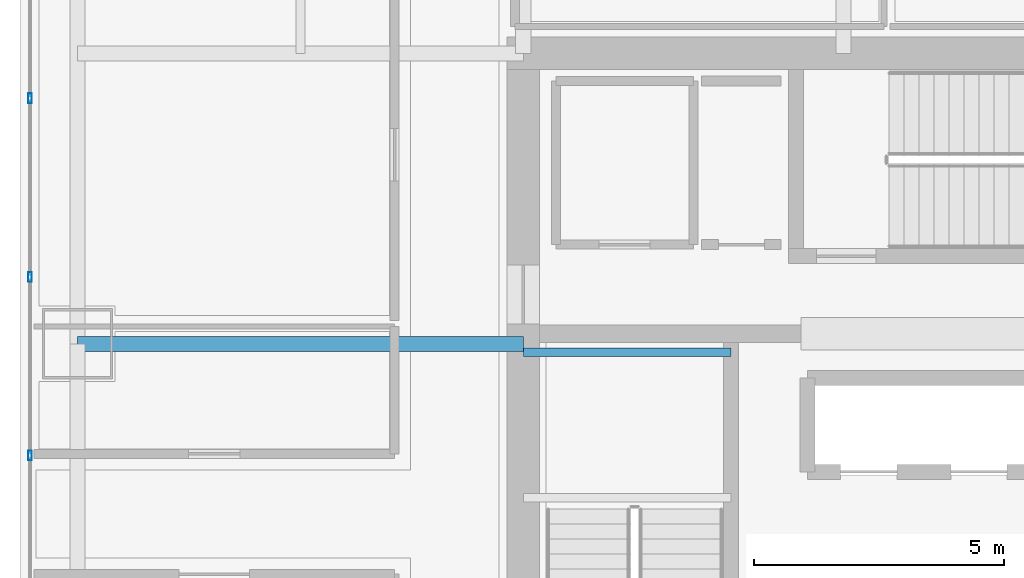
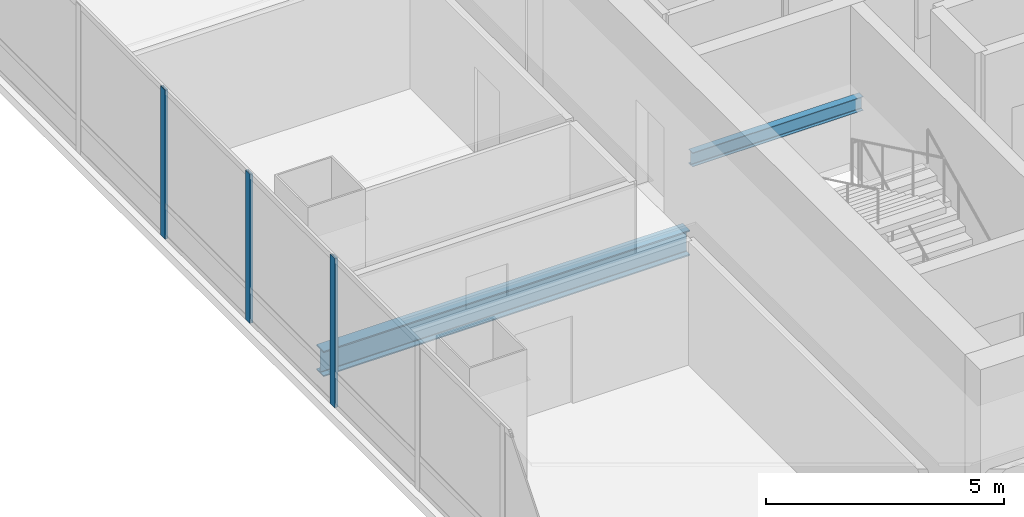
# One storey, part 11 of 36: 3 members, 2 beams, 1 element without a shape of its own.
"""IFC4 building model written with IfcOpenShell, lengths in metres."""

from ifc_helpers import new_model, si_unit, direction, frame, origin, origin_2d, place, context, subcontext, project, spatial, hollow_rectangle, i_section, extrude, material, material_profile, profile_set, type_object, element, aggregate, save


model = new_model("IFC4")

# Units and contexts
model_context = context("Model", 3, precision=1e-05, world=origin(), true_north=direction((0.0, 1.0)))
body_context = subcontext(model_context, "Body", "Model", "MODEL_VIEW")
ifc_project = project(units=[si_unit("LENGTHUNIT", "METRE"), si_unit("AREAUNIT", "SQUARE_METRE"), si_unit("VOLUMEUNIT", "CUBIC_METRE"), si_unit("PLANEANGLEUNIT", "RADIAN"), si_unit("MASSUNIT", "GRAM", prefix="KILO")], contexts=[model_context])

# Site, building, storey
site_placement = place(None, origin())
site = spatial("IfcSite", under=ifc_project, at=site_placement, CompositionType="ELEMENT")
building_placement = place(site_placement, origin())
building = spatial("IfcBuilding", under=site, at=building_placement, Name="Punatoya Terracotta Tower", CompositionType="ELEMENT")
storey_placement = place(building_placement, frame((0.0, 0.0, 212.699951171875)))
storey = spatial("IfcBuildingStorey", under=building, at=storey_placement, Name="L50", CompositionType="ELEMENT", Elevation=212.699951171875)

# Beams
ifc_material_1 = material(Name="Steel S355", Category="steel")
ifc_material_profile_1 = material_profile(ifc_material_1, i_section(OverallWidth=0.300048828125, OverallDepth=0.64990234375, WebThickness=0.01611328125, FlangeThickness=0.031005859375, FilletRadius=0.01806640625, at=origin_2d()))
ifc_profile_set_1 = profile_set([ifc_material_profile_1], Name="Steel S355")
beam_type_1 = type_object("IfcBeamType", Name="BM-PRI-650", PredefinedType="BEAM", material=ifc_profile_set_1)
beam_1_placement = place(storey_placement, frame((-19.10009765625, 3.39990234375, -0.544921875), z_axis=(1.0, 0.0, 0.0), x_axis=(0.0, 1.0, 0.0)))
element("IfcBeam", 1, at=beam_1_placement, inside=storey, type_object=beam_type_1, Name="BM-L50-PR-WE", PredefinedType="BEAM", context=body_context, shape_type="SweptSolid", body=[
    extrude(i_section(OverallWidth=0.300048828125, OverallDepth=0.64990234375, WebThickness=0.01611328125, FlangeThickness=0.031005859375, FilletRadius=0.01806640625, at=origin_2d()), origin(), (0.0, 0.0, 1.0), 8.900146484375),
])
ifc_material_profile_2 = material_profile(ifc_material_1, i_section(OverallWidth=0.169921875, OverallDepth=0.360107421875, WebThickness=0.008056640625, FlangeThickness=0.0126953125, FilletRadius=0.01806640625, at=origin_2d()))
ifc_profile_set_2 = profile_set([ifc_material_profile_2], Name="Steel S355")
beam_type_2 = type_object("IfcBeamType", Name="BM-SEC-360", PredefinedType="JOIST", material=ifc_profile_set_2)
beam_2_placement = place(storey_placement, frame((-10.199951171875, 3.22998046875, 1.64501953125), z_axis=(1.0, 0.0, 0.0), x_axis=(0.0, 1.0, 0.0)))
element("IfcBeam", 2, at=beam_2_placement, inside=storey, type_object=beam_type_2, Name="BM-L50-ST-1-LD1B", PredefinedType="JOIST", context=body_context, shape_type="SweptSolid", body=[
    extrude(i_section(OverallWidth=0.169921875, OverallDepth=0.360107421875, WebThickness=0.008056640625, FlangeThickness=0.0126953125, FilletRadius=0.01806640625, at=origin_2d()), origin(), (0.0, 0.0, 1.0), 4.14990234375),
])

# Curtain wall, members
ifc_material_2 = material(Name="Aluminium 6063-T6 + Double Low-E Glass", Category="aluminium")
curtain_wall_type = type_object("IfcCurtainWallType", Name="CW-M2", PredefinedType="NOTDEFINED", material=ifc_material_2)
curtain_wall_placement = place(storey_placement, origin())
curtain_wall = element("IfcCurtainWall", 3, at=curtain_wall_placement, inside=storey, type_object=curtain_wall_type, Name="L50 Curtain Wall CW-L50-W13-1", PredefinedType="NOTDEFINED")
ifc_material_3 = material(Name="Aluminium 6063-T6", Category="aluminium")
ifc_material_profile_3 = material_profile(ifc_material_3, hollow_rectangle(XDim=0.072021484375, YDim=0.195068359375, WallThickness=0.00439453125, at=origin_2d()))
ifc_profile_set_3 = profile_set([ifc_material_profile_3], Name="Aluminium 6063-T6")
member_type = type_object("IfcMemberType", Name="CW-MUL-M2", PredefinedType="MULLION", material=ifc_profile_set_3)
member_1_placement = place(storey_placement, frame((-20.050048828125, 8.302001953125, 0.0), z_axis=(0.0, 0.0, 1.0), x_axis=(1.0, 0.0, 0.0)))
member_1 = element("IfcMember", 4, at=member_1_placement, type_object=member_type, Name="CW-L50-W13-1 Mullion 02", PredefinedType="MULLION", context=body_context, shape_type="SweptSolid", body=[
    extrude(hollow_rectangle(XDim=0.072021484375, YDim=0.195068359375, WallThickness=0.00439453125, at=origin_2d()), origin(), (0.0, 0.0, 1.0), 3.830078125),
])
member_2_placement = place(storey_placement, frame((-20.050048828125, 4.73486328125, 0.0), z_axis=(0.0, 0.0, 1.0), x_axis=(1.0, 0.0, 0.0)))
member_2 = element("IfcMember", 5, at=member_2_placement, type_object=member_type, Name="CW-L50-W13-1 Mullion 03", PredefinedType="MULLION", context=body_context, shape_type="SweptSolid", body=[
    extrude(hollow_rectangle(XDim=0.072021484375, YDim=0.195068359375, WallThickness=0.00439453125, at=origin_2d()), origin(), (0.0, 0.0, 1.0), 3.830078125),
])
member_3_placement = place(storey_placement, frame((-20.050048828125, 1.16748046875, 0.0), z_axis=(0.0, 0.0, 1.0), x_axis=(1.0, 0.0, 0.0)))
member_3 = element("IfcMember", 6, at=member_3_placement, type_object=member_type, Name="CW-L50-W13-1 Mullion 04", PredefinedType="MULLION", context=body_context, shape_type="SweptSolid", body=[
    extrude(hollow_rectangle(XDim=0.072021484375, YDim=0.195068359375, WallThickness=0.00439453125, at=origin_2d()), origin(), (0.0, 0.0, 1.0), 3.830078125),
])
aggregate(curtain_wall, [member_1, member_2, member_3])

save(model, "model.ifc")
